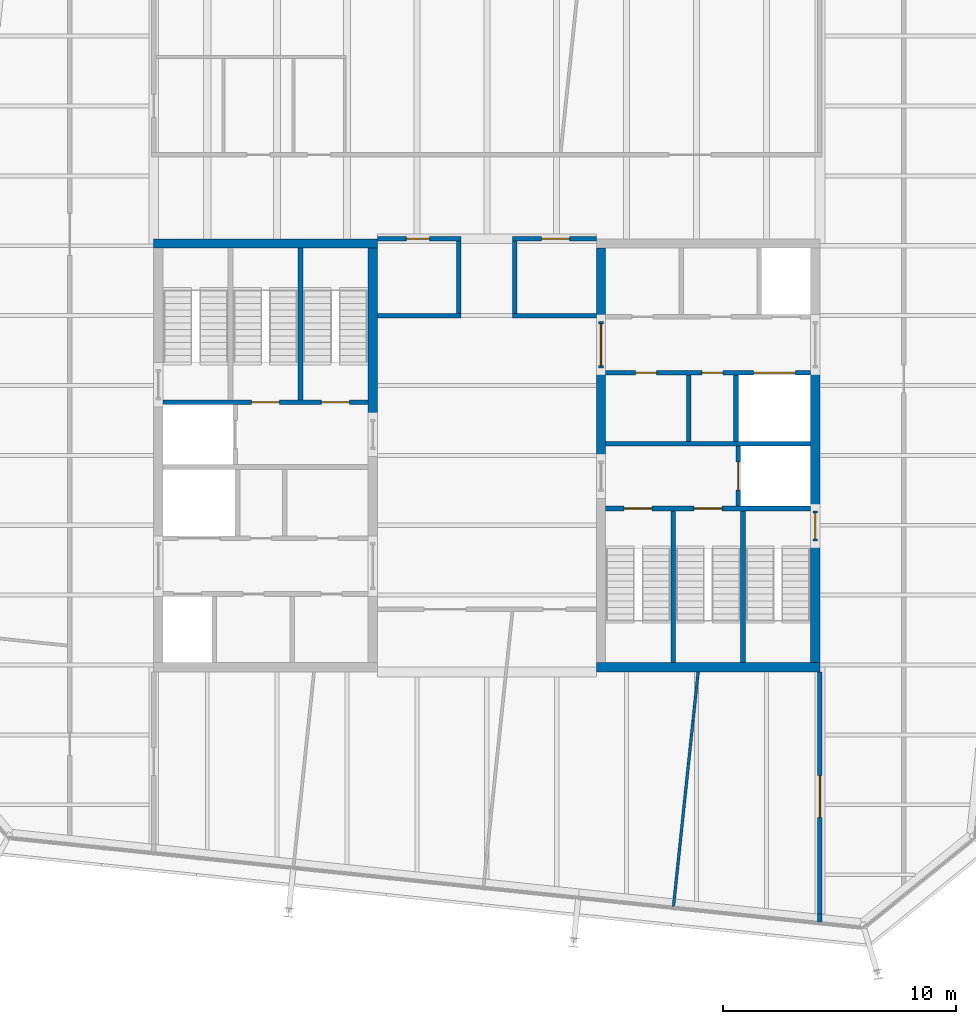
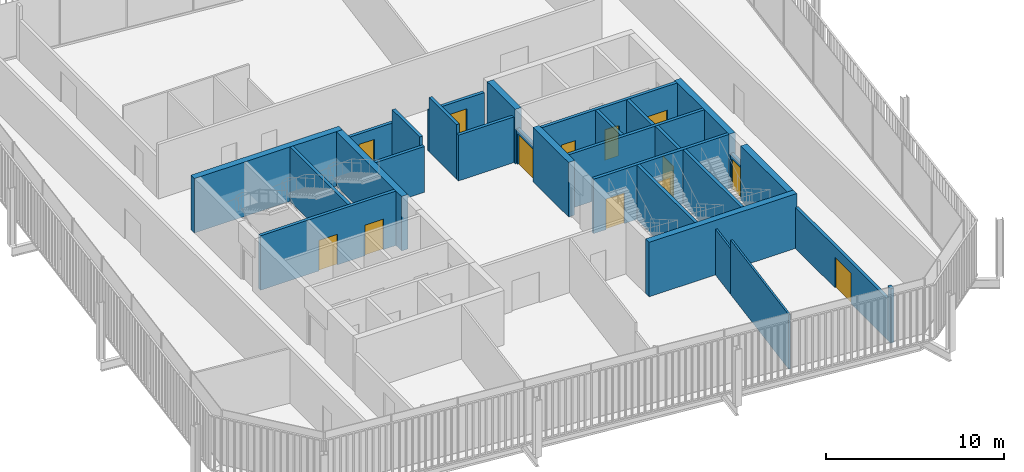
# One storey, part 17 of 20: 29 walls, 13 doors, 13 openings.
"""IFC4 building model written with IfcOpenShell, lengths in metres."""

from ifc_helpers import new_model, si_unit, direction, frame, frame_2d, origin, place, context, subcontext, project, spatial, rectangle, extrude, material, layer, layer_set, type_object, element, fill, save


model = new_model("IFC4")

# Units and contexts
model_context = context("Model", 3, precision=1e-05, world=origin(), true_north=direction((0.0, 1.0)))
body_context = subcontext(model_context, "Body", "Model", "MODEL_VIEW")
ifc_project = project(units=[si_unit("LENGTHUNIT", "METRE"), si_unit("AREAUNIT", "SQUARE_METRE"), si_unit("VOLUMEUNIT", "CUBIC_METRE"), si_unit("PLANEANGLEUNIT", "RADIAN"), si_unit("MASSUNIT", "GRAM", prefix="KILO")], contexts=[model_context])

# Site, building, storey
site_placement = place(None, origin())
site = spatial("IfcSite", under=ifc_project, at=site_placement, CompositionType="ELEMENT")
building_placement = place(site_placement, origin())
building = spatial("IfcBuilding", under=site, at=building_placement, Name="Millrace Tower", CompositionType="ELEMENT")
storey_placement = place(building_placement, frame((0.0, 0.0, 287.699951171875)))
storey = spatial("IfcBuildingStorey", under=building, at=storey_placement, Name="L66", CompositionType="ELEMENT", Elevation=287.699951171875)

# Walls
ifc_material_1 = material(Name="Concrete C60", Category="concrete")
ifc_layer_1 = layer(ifc_material_1, 0.39990234375)
ifc_layer_set_1 = layer_set([ifc_layer_1], Name="Concrete C60")
wall_type_1 = type_object("IfcWallType", Name="Core wall 400 Concrete C60", PredefinedType="SHEAR", material=ifc_layer_set_1)
wall_1_placement = place(storey_placement, frame((-14.300048828125, 9.10009765625, 0.0), z_axis=(0.0, 0.0, 1.0), x_axis=(1.0, 0.0, 0.0)))
element("IfcWall", 1, at=wall_1_placement, inside=storey, type_object=wall_type_1, Name="Core wall W L66", PredefinedType="SHEAR", context=body_context, shape_type="SweptSolid", body=[
    extrude(rectangle(XDim=9.60009765625, YDim=0.39990234375, at=frame_2d((4.800048828125, 0.0))), origin(), (0.0, 0.0, 1.0), 3.739990234375),
])
wall_2_placement = place(storey_placement, frame((-4.89990234375, 1.550048828125, 0.0), z_axis=(0.0, 0.0, 1.0), x_axis=(0.0, 1.0, 0.0)))
element("IfcWall", 2, at=wall_2_placement, inside=storey, type_object=wall_type_1, Name="Core wall W L66", PredefinedType="SHEAR", context=body_context, shape_type="SweptSolid", body=[
    extrude(rectangle(XDim=7.349853515625, YDim=0.39990234375, at=frame_2d((3.6748046875, 0.0))), origin(), (0.0, 0.0, 1.0), 3.739990234375),
])
wall_3_placement = place(storey_placement, frame((14.300048828125, -9.10009765625, 0.0), z_axis=(0.0, 0.0, 1.0), x_axis=(-1.0, 0.0, 0.0)))
element("IfcWall", 3, at=wall_3_placement, inside=storey, type_object=wall_type_1, Name="Core wall E L66", PredefinedType="SHEAR", context=body_context, shape_type="SweptSolid", body=[
    extrude(rectangle(XDim=9.60009765625, YDim=0.39990234375, at=frame_2d((4.800048828125, 0.0))), origin(), (0.0, 0.0, 1.0), 3.739990234375),
])
wall_4_placement = place(storey_placement, frame((14.10009765625, 3.75, 0.0), z_axis=(0.0, 0.0, 1.0), x_axis=(0.0, -1.0, 0.0)))
element("IfcWall", 4, at=wall_4_placement, inside=storey, type_object=wall_type_1, Name="Core wall E L66", PredefinedType="SHEAR", context=body_context, shape_type="SweptSolid", body=[
    extrude(rectangle(XDim=6.1298828125, YDim=0.39990234375, at=frame_2d((3.06494140625, 0.0))), origin(), (0.0, 0.0, 1.0), 3.739990234375),
])
wall_5_placement = place(storey_placement, frame((14.10009765625, -3.679931640625, 0.0), z_axis=(0.0, 0.0, 1.0), x_axis=(0.0, -1.0, 0.0)))
element("IfcWall", 5, at=wall_5_placement, inside=storey, type_object=wall_type_1, Name="Core wall E L66", PredefinedType="SHEAR", context=body_context, shape_type="SweptSolid", body=[
    extrude(rectangle(XDim=5.219970703125, YDim=0.39990234375, at=frame_2d((2.60986328125, 0.0))), origin(), (0.0, 0.0, 1.0), 3.739990234375),
])
wall_6_placement = place(storey_placement, frame((4.89990234375, 8.89990234375, 0.0), z_axis=(0.0, 0.0, 1.0), x_axis=(0.0, -1.0, 0.0)))
element("IfcWall", 6, at=wall_6_placement, inside=storey, type_object=wall_type_1, Name="Core wall E L66", PredefinedType="SHEAR", context=body_context, shape_type="SweptSolid", body=[
    extrude(rectangle(XDim=3.14990234375, YDim=0.39990234375, at=frame_2d((1.574951171875, 0.0))), origin(), (0.0, 0.0, 1.0), 3.739990234375),
])
wall_7_placement = place(storey_placement, frame((4.89990234375, 3.75, 0.0), z_axis=(0.0, 0.0, 1.0), x_axis=(0.0, -1.0, 0.0)))
element("IfcWall", 7, at=wall_7_placement, inside=storey, type_object=wall_type_1, Name="Core wall E L66", PredefinedType="SHEAR", context=body_context, shape_type="SweptSolid", body=[
    extrude(rectangle(XDim=4.0, YDim=0.39990234375, at=frame_2d((2.0, 0.0))), origin(), (0.0, 0.0, 1.0), 3.739990234375),
])
ifc_material_2 = material(Name="Masonry partition, fire-rated", Category="masonry")
ifc_layer_2 = layer(ifc_material_2, 0.199951171875)
ifc_layer_set_2 = layer_set([ifc_layer_2], Name="Masonry partition, fire-rated")
wall_type_2 = type_object("IfcWallType", Name="Corridor wall 200", PredefinedType="PARTITIONING", material=ifc_layer_set_2)
for number, where, z_axis, x_axis, name in (
    (8, (-4.699951171875, 6.0, 0.0), (0.0, 0.0, 1.0), (1.0, 0.0, 0.0), "Corridor wall L66"),
    (9, (1.10009765625, 6.0, 0.0), (0.0, 0.0, 1.0), (1.0, 0.0, 0.0), "Corridor wall L66"),
):
    element("IfcWall", number, at=place(storey_placement, frame(where, z_axis=z_axis, x_axis=x_axis)), inside=storey, type_object=wall_type_2, Name=name, PredefinedType="PARTITIONING", context=body_context, shape_type="SweptSolid", body=[
        extrude(rectangle(XDim=3.599853515625, YDim=0.199951171875, at=frame_2d((1.7998046875, 0.0))), origin(), (0.0, 0.0, 1.0), 3.140625),
    ])

# Wall, opening, door
wall_8_placement = place(storey_placement, frame((-4.699951171875, 9.300048828125, 0.0), z_axis=(0.0, 0.0, 1.0), x_axis=(1.0, 0.0, 0.0)))
wall_8 = element("IfcWall", 10, at=wall_8_placement, inside=storey, type_object=wall_type_2, Name="Corridor wall L66", PredefinedType="PARTITIONING", context=body_context, shape_type="SweptSolid", body=[
    extrude(rectangle(XDim=3.599853515625, YDim=0.199951171875, at=frame_2d((1.7998046875, 0.0))), origin(), (0.0, 0.0, 1.0), 2.81298828125),
])
opening_1_placement = place(wall_8_placement, frame((1.25, 0.0, 0.0)))
opening_1 = element("IfcOpeningElement", 11, at=opening_1_placement, cuts=wall_8, Name="Opening 66-P001", PredefinedType="OPENING", context=body_context, shape_type="SweptSolid", body=[
    extrude(rectangle(XDim=1.0, YDim=2.10009765625, at=frame_2d((0.5, 1.050048828125))), frame((0.0, 0.10986328125, 0.0), z_axis=(0.0, -1.0, 0.0), x_axis=(1.0, 0.0, 0.0)), (0.0, 0.0, 1.0), 0.219970703125),
])
ifc_material_3 = material(Name="Steel door set, fire-rated", Category="steel")
door_type_1 = type_object("IfcDoorType", Name="Corridor door 1000 x 2100", OperationType="SINGLE_SWING_LEFT", PredefinedType="DOOR", material=ifc_material_3)
door_1_placement = place(opening_1_placement, frame((1.0, 0.0, 0.0), z_axis=(0.0, 0.0, 1.0), x_axis=(-1.0, 0.0, 0.0)))
door_1 = element("IfcDoor", 12, at=door_1_placement, inside=storey, type_object=door_type_1, Name="Door 66-P001", OperationType="SINGLE_SWING_RIGHT", OverallHeight=2.10009765625, OverallWidth=1.0, PredefinedType="DOOR", context=body_context, shape_type="SweptSolid", body=[
    extrude(rectangle(XDim=1.0, YDim=2.10009765625, at=frame_2d((0.5, 1.050048828125))), frame((0.0, 0.02490234375, 0.0), z_axis=(0.0, -1.0, 0.0), x_axis=(1.0, 0.0, 0.0)), (0.0, 0.0, 1.0), 0.050048828125),
])
fill(opening_1, door_1)

wall_9_placement = place(storey_placement, frame((1.10009765625, 9.300048828125, 0.0), z_axis=(0.0, 0.0, 1.0), x_axis=(1.0, 0.0, 0.0)))
wall_9 = element("IfcWall", 13, at=wall_9_placement, inside=storey, type_object=wall_type_2, Name="Corridor wall L66", PredefinedType="PARTITIONING", context=body_context, shape_type="SweptSolid", body=[
    extrude(rectangle(XDim=3.599853515625, YDim=0.199951171875, at=frame_2d((1.7998046875, 0.0))), origin(), (0.0, 0.0, 1.0), 2.81298828125),
])
opening_2_placement = place(wall_9_placement, frame((1.25, 0.0, 0.0)))
opening_2 = element("IfcOpeningElement", 14, at=opening_2_placement, cuts=wall_9, Name="Opening 66-P002", PredefinedType="OPENING", context=body_context, shape_type="SweptSolid", body=[
    extrude(rectangle(XDim=1.199951171875, YDim=2.10009765625, at=frame_2d((0.60009765625, 1.050048828125))), frame((0.0, 0.10986328125, 0.0), z_axis=(0.0, -1.0, 0.0), x_axis=(1.0, 0.0, 0.0)), (0.0, 0.0, 1.0), 0.219970703125),
])
ifc_material_4 = material(Name="Steel door set, fire-rated", Category="steel")
door_type_2 = type_object("IfcDoorType", Name="Corridor door 1200 x 2100", OperationType="SINGLE_SWING_LEFT", PredefinedType="DOOR", material=ifc_material_4)
door_2_placement = place(opening_2_placement, frame((1.199951171875, 0.0, 0.0), z_axis=(0.0, 0.0, 1.0), x_axis=(-1.0, 0.0, 0.0)))
door_2 = element("IfcDoor", 15, at=door_2_placement, inside=storey, type_object=door_type_2, Name="Door 66-P002", OperationType="SINGLE_SWING_RIGHT", OverallHeight=2.10009765625, OverallWidth=1.199951171875, PredefinedType="DOOR", context=body_context, shape_type="SweptSolid", body=[
    extrude(rectangle(XDim=1.199951171875, YDim=2.10009765625, at=frame_2d((0.60009765625, 1.050048828125))), frame((0.0, 0.02490234375, 0.0), z_axis=(0.0, -1.0, 0.0), x_axis=(1.0, 0.0, 0.0)), (0.0, 0.0, 1.0), 0.050048828125),
])
fill(opening_2, door_2)

# Wall
wall_10_placement = place(storey_placement, frame((14.300048828125, -20.037353515625, 0.0), z_axis=(0.0, 0.0, 1.0), x_axis=(0.0, 1.0, 0.0)))
element("IfcWall", 16, at=wall_10_placement, inside=storey, type_object=wall_type_2, Name="Corridor wall L66", PredefinedType="PARTITIONING", context=body_context, shape_type="SweptSolid", body=[
    extrude(rectangle(XDim=0.339111328125, YDim=0.199951171875, at=frame_2d((0.16943359375, 0.0))), origin(), (0.0, 0.0, 1.0), 3.739990234375),
])

# Wall, opening, door
wall_11_placement = place(storey_placement, frame((14.300048828125, -19.6982421875, 0.0), z_axis=(0.0, 0.0, 1.0), x_axis=(0.0, 1.0, 0.0)))
wall_11 = element("IfcWall", 17, at=wall_11_placement, inside=storey, type_object=wall_type_2, Name="Corridor wall L66", PredefinedType="PARTITIONING", context=body_context, shape_type="SweptSolid", body=[
    extrude(rectangle(XDim=10.398193359375, YDim=0.199951171875, at=frame_2d((5.19921875, 0.0))), origin(), (0.0, 0.0, 1.0), 2.81298828125),
])
opening_3_placement = place(wall_11_placement, frame((4.15478515625, 0.0, 0.0)))
opening_3 = element("IfcOpeningElement", 18, at=opening_3_placement, cuts=wall_11, Name="Opening 66-P012", PredefinedType="OPENING", context=body_context, shape_type="SweptSolid", body=[
    extrude(rectangle(XDim=1.800048828125, YDim=2.10009765625, at=frame_2d((0.89990234375, 1.050048828125))), frame((0.0, 0.10986328125, 0.0), z_axis=(0.0, -1.0, 0.0), x_axis=(1.0, 0.0, 0.0)), (0.0, 0.0, 1.0), 0.219970703125),
])
ifc_material_5 = material(Name="Steel door set, fire-rated", Category="steel")
door_type_3 = type_object("IfcDoorType", Name="Corridor door 1800 x 2100", OperationType="DOUBLE_DOOR_SINGLE_SWING", PredefinedType="DOOR", material=ifc_material_5)
door_3_placement = place(opening_3_placement, origin())
door_3 = element("IfcDoor", 19, at=door_3_placement, inside=storey, type_object=door_type_3, Name="Door 66-P012", OperationType="DOUBLE_DOOR_SINGLE_SWING", OverallHeight=2.10009765625, OverallWidth=1.800048828125, PredefinedType="DOOR", context=body_context, shape_type="SweptSolid", body=[
    extrude(rectangle(XDim=1.800048828125, YDim=2.10009765625, at=frame_2d((0.89990234375, 1.050048828125))), frame((0.0, 0.02490234375, 0.0), z_axis=(0.0, -1.0, 0.0), x_axis=(1.0, 0.0, 0.0)), (0.0, 0.0, 1.0), 0.050048828125),
])
fill(opening_3, door_3)

# Walls
for number, where, z_axis, x_axis, name in (
    (20, (1.199951171875, 6.10009765625, 0.0), (0.0, 0.0, 1.0), (0.0, 1.0, 0.0), "Corridor wall L66"),
    (21, (-1.199951171875, 6.10009765625, 0.0), (0.0, 0.0, 1.0), (0.0, 1.0, 0.0), "Corridor wall L66"),
):
    element("IfcWall", number, at=place(storey_placement, frame(where, z_axis=z_axis, x_axis=x_axis)), inside=storey, type_object=wall_type_2, Name=name, PredefinedType="PARTITIONING", context=body_context, shape_type="SweptSolid", body=[
        extrude(rectangle(XDim=3.099853515625, YDim=0.199951171875, at=frame_2d((1.5498046875, 0.0))), origin(), (0.0, 0.0, 1.0), 3.739990234375),
    ])

# Wall, openings, doors
ifc_material_6 = material(Name="Masonry partition, fire-rated", Category="masonry")
ifc_layer_3 = layer(ifc_material_6, 0.199951171875)
ifc_layer_set_3 = layer_set([ifc_layer_3], Name="Masonry partition, fire-rated")
wall_type_3 = type_object("IfcWallType", Name="Lift shaft wall 200", PredefinedType="PARTITIONING", material=ifc_layer_set_3)
wall_12_placement = place(storey_placement, frame((13.89990234375, 3.550048828125, 0.0), z_axis=(0.0, 0.0, 1.0), x_axis=(-1.0, 0.0, 0.0)))
wall_12 = element("IfcWall", 22, at=wall_12_placement, inside=storey, type_object=wall_type_3, Name="Lift shaft wall E L66", PredefinedType="PARTITIONING", context=body_context, shape_type="SweptSolid", body=[
    extrude(rectangle(XDim=8.7998046875, YDim=0.199951171875, at=frame_2d((4.39990234375, 0.0))), origin(), (0.0, 0.0, 1.0), 3.739990234375),
])
opening_4_placement = place(wall_12_placement, frame((0.64990234375, 0.0, 0.0)))
opening_4 = element("IfcOpeningElement", 23, at=opening_4_placement, cuts=wall_12, Name="Opening 66-LD13", PredefinedType="OPENING", context=body_context, shape_type="SweptSolid", body=[
    extrude(rectangle(XDim=1.800048828125, YDim=2.10009765625, at=frame_2d((0.89990234375, 1.050048828125))), frame((0.0, 0.10986328125, 0.0), z_axis=(0.0, -1.0, 0.0), x_axis=(1.0, 0.0, 0.0)), (0.0, 0.0, 1.0), 0.219970703125),
])
opening_5_placement = place(wall_12_placement, frame((3.762451171875, 0.0, 0.0)))
opening_5 = element("IfcOpeningElement", 24, at=opening_5_placement, cuts=wall_12, Name="Opening 66-C017", PredefinedType="OPENING", context=body_context, shape_type="SweptSolid", body=[
    extrude(rectangle(XDim=0.89990234375, YDim=2.10009765625, at=frame_2d((0.449951171875, 1.050048828125))), frame((0.0, 0.10986328125, 0.0), z_axis=(0.0, -1.0, 0.0), x_axis=(1.0, 0.0, 0.0)), (0.0, 0.0, 1.0), 0.219970703125),
])
opening_6_placement = place(wall_12_placement, frame((6.612548828125, 0.0, 0.0)))
opening_6 = element("IfcOpeningElement", 25, at=opening_6_placement, cuts=wall_12, Name="Opening 66-C018", PredefinedType="OPENING", context=body_context, shape_type="SweptSolid", body=[
    extrude(rectangle(XDim=0.89990234375, YDim=2.10009765625, at=frame_2d((0.449951171875, 1.050048828125))), frame((0.0, 0.10986328125, 0.0), z_axis=(0.0, -1.0, 0.0), x_axis=(1.0, 0.0, 0.0)), (0.0, 0.0, 1.0), 0.219970703125),
])
ifc_material_7 = material(Name="Stainless steel, fire-rated", Category="steel")
door_type_4 = type_object("IfcDoorType", Name="Lift landing door 1800 x 2100", OperationType="DOUBLE_DOOR_SLIDING", PredefinedType="DOOR", material=ifc_material_7)
door_4_placement = place(opening_4_placement, origin())
door_4 = element("IfcDoor", 26, at=door_4_placement, inside=storey, type_object=door_type_4, Name="Lift landing door LF13 L66", OperationType="DOUBLE_DOOR_SLIDING", OverallHeight=2.10009765625, OverallWidth=1.800048828125, PredefinedType="DOOR", context=body_context, shape_type="SweptSolid", body=[
    extrude(rectangle(XDim=1.800048828125, YDim=2.10009765625, at=frame_2d((0.89990234375, 1.050048828125))), frame((0.0, 0.02490234375, 0.0), z_axis=(0.0, -1.0, 0.0), x_axis=(1.0, 0.0, 0.0)), (0.0, 0.0, 1.0), 0.050048828125),
])
fill(opening_4, door_4)
ifc_material_8 = material(Name="Steel door, fire-rated", Category="steel")
door_type_5 = type_object("IfcDoorType", Name="Service room door 900 x 2100", OperationType="SINGLE_SWING_LEFT", PredefinedType="DOOR", material=ifc_material_8)
door_5_placement = place(opening_5_placement, origin())
door_5 = element("IfcDoor", 27, at=door_5_placement, inside=storey, type_object=door_type_5, Name="Service room door 66-C017", OperationType="SINGLE_SWING_LEFT", OverallHeight=2.10009765625, OverallWidth=0.89990234375, PredefinedType="DOOR", context=body_context, shape_type="SweptSolid", body=[
    extrude(rectangle(XDim=0.89990234375, YDim=2.10009765625, at=frame_2d((0.449951171875, 1.050048828125))), frame((0.0, 0.02490234375, 0.0), z_axis=(0.0, -1.0, 0.0), x_axis=(1.0, 0.0, 0.0)), (0.0, 0.0, 1.0), 0.050048828125),
])
fill(opening_5, door_5)
door_6_placement = place(opening_6_placement, origin())
door_6 = element("IfcDoor", 28, at=door_6_placement, inside=storey, type_object=door_type_5, Name="Service room door 66-C018", OperationType="SINGLE_SWING_RIGHT", OverallHeight=2.10009765625, OverallWidth=0.89990234375, PredefinedType="DOOR", context=body_context, shape_type="SweptSolid", body=[
    extrude(rectangle(XDim=0.89990234375, YDim=2.10009765625, at=frame_2d((0.449951171875, 1.050048828125))), frame((0.0, 0.02490234375, 0.0), z_axis=(0.0, -1.0, 0.0), x_axis=(1.0, 0.0, 0.0)), (0.0, 0.0, 1.0), 0.050048828125),
])
fill(opening_6, door_6)

# Wall
wall_13_placement = place(storey_placement, frame((13.89990234375, 0.5, 0.0), z_axis=(0.0, 0.0, 1.0), x_axis=(-1.0, 0.0, 0.0)))
element("IfcWall", 29, at=wall_13_placement, inside=storey, type_object=wall_type_3, Name="Lift shaft wall E L66", PredefinedType="PARTITIONING", context=body_context, shape_type="SweptSolid", body=[
    extrude(rectangle(XDim=8.7998046875, YDim=0.199951171875, at=frame_2d((4.39990234375, 0.0))), origin(), (0.0, 0.0, 1.0), 3.739990234375),
])

# Wall, opening, door
wall_14_placement = place(storey_placement, frame((10.800048828125, 0.39990234375, 0.0), z_axis=(0.0, 0.0, 1.0), x_axis=(0.0, -1.0, 0.0)))
wall_14 = element("IfcWall", 30, at=wall_14_placement, inside=storey, type_object=wall_type_3, Name="Lift shaft wall E L66", PredefinedType="PARTITIONING", context=body_context, shape_type="SweptSolid", body=[
    extrude(rectangle(XDim=2.579833984375, YDim=0.199951171875, at=frame_2d((1.2900390625, 0.0))), origin(), (0.0, 0.0, 1.0), 3.739990234375),
])
opening_7_placement = place(wall_14_placement, frame((0.68994140625, 0.0, 0.0)))
opening_7 = element("IfcOpeningElement", 31, at=opening_7_placement, cuts=wall_14, Name="Opening 66-LD16", PredefinedType="OPENING", context=body_context, shape_type="SweptSolid", body=[
    extrude(rectangle(XDim=1.199951171875, YDim=2.10009765625, at=frame_2d((0.60009765625, 1.050048828125))), frame((0.0, 0.10986328125, 0.0), z_axis=(0.0, -1.0, 0.0), x_axis=(1.0, 0.0, 0.0)), (0.0, 0.0, 1.0), 0.219970703125),
])
ifc_material_9 = material(Name="Stainless steel, fire-rated", Category="steel")
door_type_6 = type_object("IfcDoorType", Name="Lift landing door 1200 x 2100", OperationType="DOUBLE_DOOR_SLIDING", PredefinedType="DOOR", material=ifc_material_9)
door_7_placement = place(opening_7_placement, origin())
door_7 = element("IfcDoor", 32, at=door_7_placement, inside=storey, type_object=door_type_6, Name="Lift landing door LF16 L66", OperationType="DOUBLE_DOOR_SLIDING", OverallHeight=2.10009765625, OverallWidth=1.199951171875, PredefinedType="DOOR", context=body_context, shape_type="SweptSolid", body=[
    extrude(rectangle(XDim=1.199951171875, YDim=2.10009765625, at=frame_2d((0.60009765625, 1.050048828125))), frame((0.0, 0.02490234375, 0.0), z_axis=(0.0, -1.0, 0.0), x_axis=(1.0, 0.0, 0.0)), (0.0, 0.0, 1.0), 0.050048828125),
])
fill(opening_7, door_7)

# Wall
wall_15_placement = place(storey_placement, frame((10.699951171875, 3.449951171875, 0.0), z_axis=(0.0, 0.0, 1.0), x_axis=(0.0, -1.0, 0.0)))
element("IfcWall", 33, at=wall_15_placement, inside=storey, type_object=wall_type_3, Name="Lift shaft wall E L66", PredefinedType="PARTITIONING", context=body_context, shape_type="SweptSolid", body=[
    extrude(rectangle(XDim=2.849853515625, YDim=0.199951171875, at=frame_2d((1.4248046875, 0.0))), origin(), (0.0, 0.0, 1.0), 3.739990234375),
])

# Wall, opening, door
ifc_material_10 = material(Name="Masonry partition, fire-rated", Category="masonry")
ifc_layer_4 = layer(ifc_material_10, 0.199951171875)
ifc_layer_set_4 = layer_set([ifc_layer_4], Name="Masonry partition, fire-rated")
wall_type_4 = type_object("IfcWallType", Name="Lobby wall 200", PredefinedType="PARTITIONING", material=ifc_layer_set_4)
wall_16_placement = place(storey_placement, frame((4.89990234375, 5.75, 0.0), z_axis=(0.0, 0.0, 1.0), x_axis=(0.0, -1.0, 0.0)))
wall_16 = element("IfcWall", 34, at=wall_16_placement, inside=storey, type_object=wall_type_4, Name="Lobby wall E L66", PredefinedType="PARTITIONING", context=body_context, shape_type="SweptSolid", body=[
    extrude(rectangle(XDim=2.0, YDim=0.199951171875, at=frame_2d((1.0, 0.0))), origin(), (0.0, 0.0, 1.0), 2.400146484375),
])
opening_8_placement = place(wall_16_placement, frame((0.10009765625, 0.0, 0.0)))
opening_8 = element("IfcOpeningElement", 35, at=opening_8_placement, cuts=wall_16, Name="Opening 66-C013", PredefinedType="OPENING", context=body_context, shape_type="SweptSolid", body=[
    extrude(rectangle(XDim=1.800048828125, YDim=2.10009765625, at=frame_2d((0.89990234375, 1.050048828125))), frame((0.0, 0.10986328125, 0.0), z_axis=(0.0, -1.0, 0.0), x_axis=(1.0, 0.0, 0.0)), (0.0, 0.0, 1.0), 0.219970703125),
])
ifc_material_11 = material(Name="Steel door, fire-rated", Category="steel")
door_type_7 = type_object("IfcDoorType", Name="Lobby door 1800 x 2100", OperationType="DOUBLE_DOOR_SINGLE_SWING", PredefinedType="DOOR", material=ifc_material_11)
door_8_placement = place(opening_8_placement, frame((1.800048828125, 0.0, 0.0), z_axis=(0.0, 0.0, 1.0), x_axis=(-1.0, 0.0, 0.0)))
door_8 = element("IfcDoor", 36, at=door_8_placement, inside=storey, type_object=door_type_7, Name="Lobby door 66-C013", OperationType="DOUBLE_DOOR_SINGLE_SWING", OverallHeight=2.10009765625, OverallWidth=1.800048828125, PredefinedType="DOOR", context=body_context, shape_type="SweptSolid", body=[
    extrude(rectangle(XDim=1.800048828125, YDim=2.10009765625, at=frame_2d((0.89990234375, 1.050048828125))), frame((0.0, 0.02490234375, 0.0), z_axis=(0.0, -1.0, 0.0), x_axis=(1.0, 0.0, 0.0)), (0.0, 0.0, 1.0), 0.050048828125),
])
fill(opening_8, door_8)

# Walls
ifc_material_12 = material(Name="Gypsum board partition")
ifc_layer_5 = layer(ifc_material_12, 0.1201171875)
ifc_layer_set_5 = layer_set([ifc_layer_5], Name="Gypsum board partition")
wall_type_5 = type_object("IfcWallType", Name="Partition wall 120", PredefinedType="PARTITIONING", material=ifc_layer_set_5)
wall_17_placement = place(storey_placement, frame((8.0126953125, -19.376708984375, 0.0), z_axis=(0.0, 0.0, 1.0), x_axis=(0.104553276341, 0.994519287096, 0.0)))
element("IfcWall", 37, at=wall_17_placement, inside=storey, type_object=wall_type_5, Name="Partition wall L66", PredefinedType="PARTITIONING", context=body_context, shape_type="SweptSolid", body=[
    extrude(rectangle(XDim=8.02099609375, YDim=0.1201171875, at=frame_2d((4.010498046875, 0.0))), origin(), (0.0, 0.0, 1.0), 3.739990234375),
])
wall_18_placement = place(storey_placement, frame((8.851318359375, -11.399658203125, 0.0), z_axis=(0.0, 0.0, 1.0), x_axis=(0.1045403102, 0.994520650134, 0.0)))
element("IfcWall", 38, at=wall_18_placement, inside=storey, type_object=wall_type_5, Name="Partition wall L66", PredefinedType="PARTITIONING", context=body_context, shape_type="SweptSolid", body=[
    extrude(rectangle(XDim=2.111083984375, YDim=0.1201171875, at=frame_2d((1.0556640625, 0.0))), origin(), (0.0, 0.0, 1.0), 3.140625),
])
ifc_material_13 = material(Name="Masonry partition, fire-rated", Category="masonry")
ifc_layer_6 = layer(ifc_material_13, 0.199951171875)
ifc_layer_set_6 = layer_set([ifc_layer_6], Name="Masonry partition, fire-rated")
wall_type_6 = type_object("IfcWallType", Name="Room partition 200", PredefinedType="PARTITIONING", material=ifc_layer_set_6)
wall_19_placement = place(storey_placement, frame((8.675048828125, 3.449951171875, 0.0), z_axis=(0.0, 0.0, 1.0), x_axis=(0.0, -1.0, 0.0)))
element("IfcWall", 39, at=wall_19_placement, inside=storey, type_object=wall_type_6, Name="Room partition E L66", PredefinedType="PARTITIONING", context=body_context, shape_type="SweptSolid", body=[
    extrude(rectangle(XDim=2.849853515625, YDim=0.199951171875, at=frame_2d((1.4248046875, 0.0))), origin(), (0.0, 0.0, 1.0), 3.739990234375),
])

# Wall, openings, doors
ifc_material_14 = material(Name="Concrete C40", Category="concrete")
ifc_layer_7 = layer(ifc_material_14, 0.199951171875)
ifc_layer_set_7 = layer_set([ifc_layer_7], Name="Concrete C40")
wall_type_7 = type_object("IfcWallType", Name="Stair enclosure wall 200 Concrete C40", PredefinedType="SHEAR", material=ifc_layer_set_7)
wall_20_placement = place(storey_placement, frame((-13.89990234375, 2.280029296875, 0.0), z_axis=(0.0, 0.0, 1.0), x_axis=(1.0, 0.0, 0.0)))
wall_20 = element("IfcWall", 40, at=wall_20_placement, inside=storey, type_object=wall_type_7, Name="Stair enclosure wall W L66", PredefinedType="SHEAR", context=body_context, shape_type="SweptSolid", body=[
    extrude(rectangle(XDim=8.7998046875, YDim=0.199951171875, at=frame_2d((4.39990234375, 0.0))), origin(), (0.0, 0.0, 1.0), 3.739990234375),
])
opening_9_placement = place(wall_20_placement, frame((3.800048828125, 0.0, 0.0)))
opening_9 = element("IfcOpeningElement", 41, at=opening_9_placement, cuts=wall_20, Name="Opening 66-C009", PredefinedType="OPENING", context=body_context, shape_type="SweptSolid", body=[
    extrude(rectangle(XDim=1.199951171875, YDim=2.10009765625, at=frame_2d((0.60009765625, 1.050048828125))), frame((0.0, 0.10986328125, 0.0), z_axis=(0.0, -1.0, 0.0), x_axis=(1.0, 0.0, 0.0)), (0.0, 0.0, 1.0), 0.219970703125),
])
opening_10_placement = place(wall_20_placement, frame((6.800048828125, 0.0, 0.0)))
opening_10 = element("IfcOpeningElement", 42, at=opening_10_placement, cuts=wall_20, Name="Opening 66-C010", PredefinedType="OPENING", context=body_context, shape_type="SweptSolid", body=[
    extrude(rectangle(XDim=1.199951171875, YDim=2.10009765625, at=frame_2d((0.60009765625, 1.050048828125))), frame((0.0, 0.10986328125, 0.0), z_axis=(0.0, -1.0, 0.0), x_axis=(1.0, 0.0, 0.0)), (0.0, 0.0, 1.0), 0.219970703125),
])
ifc_material_15 = material(Name="Steel door, fire-rated", Category="steel")
door_type_8 = type_object("IfcDoorType", Name="Stair door 1200 x 2100", OperationType="SINGLE_SWING_LEFT", PredefinedType="DOOR", material=ifc_material_15)
door_9_placement = place(opening_9_placement, frame((1.199951171875, 0.0, 0.0), z_axis=(0.0, 0.0, 1.0), x_axis=(-1.0, 0.0, 0.0)))
door_9 = element("IfcDoor", 43, at=door_9_placement, inside=storey, type_object=door_type_8, Name="Stair door 66-C009", OperationType="SINGLE_SWING_LEFT", OverallHeight=2.10009765625, OverallWidth=1.199951171875, PredefinedType="DOOR", context=body_context, shape_type="SweptSolid", body=[
    extrude(rectangle(XDim=1.199951171875, YDim=2.10009765625, at=frame_2d((0.60009765625, 1.050048828125))), frame((0.0, 0.02490234375, 0.0), z_axis=(0.0, -1.0, 0.0), x_axis=(1.0, 0.0, 0.0)), (0.0, 0.0, 1.0), 0.050048828125),
])
fill(opening_9, door_9)
door_10_placement = place(opening_10_placement, frame((1.199951171875, 0.0, 0.0), z_axis=(0.0, 0.0, 1.0), x_axis=(-1.0, 0.0, 0.0)))
door_10 = element("IfcDoor", 44, at=door_10_placement, inside=storey, type_object=door_type_8, Name="Stair door 66-C010", OperationType="SINGLE_SWING_LEFT", OverallHeight=2.10009765625, OverallWidth=1.199951171875, PredefinedType="DOOR", context=body_context, shape_type="SweptSolid", body=[
    extrude(rectangle(XDim=1.199951171875, YDim=2.10009765625, at=frame_2d((0.60009765625, 1.050048828125))), frame((0.0, 0.02490234375, 0.0), z_axis=(0.0, -1.0, 0.0), x_axis=(1.0, 0.0, 0.0)), (0.0, 0.0, 1.0), 0.050048828125),
])
fill(opening_10, door_10)

# Wall
wall_21_placement = place(storey_placement, frame((-8.0, 2.3798828125, 0.0), z_axis=(0.0, 0.0, 1.0), x_axis=(0.0, 1.0, 0.0)))
element("IfcWall", 45, at=wall_21_placement, inside=storey, type_object=wall_type_7, Name="Stair enclosure wall W L66", PredefinedType="SHEAR", context=body_context, shape_type="SweptSolid", body=[
    extrude(rectangle(XDim=6.52001953125, YDim=0.199951171875, at=frame_2d((3.260009765625, 0.0))), origin(), (0.0, 0.0, 1.0), 3.739990234375),
])

# Wall, opening, door
wall_22_placement = place(storey_placement, frame((14.10009765625, -2.3798828125, 0.0), z_axis=(0.0, 0.0, 1.0), x_axis=(0.0, -1.0, 0.0)))
wall_22 = element("IfcWall", 46, at=wall_22_placement, inside=storey, type_object=wall_type_7, Name="Stair enclosure wall E L66", PredefinedType="SHEAR", context=body_context, shape_type="SweptSolid", body=[
    extrude(rectangle(XDim=1.300048828125, YDim=0.199951171875, at=frame_2d((0.64990234375, 0.0))), origin(), (0.0, 0.0, 1.0), 2.400146484375),
])
opening_11_placement = place(wall_22_placement, frame((0.10009765625, 0.0, 0.0)))
opening_11 = element("IfcOpeningElement", 47, at=opening_11_placement, cuts=wall_22, Name="Opening 66-C012", PredefinedType="OPENING", context=body_context, shape_type="SweptSolid", body=[
    extrude(rectangle(XDim=1.10009765625, YDim=2.10009765625, at=frame_2d((0.550048828125, 1.050048828125))), frame((0.0, 0.10986328125, 0.0), z_axis=(0.0, -1.0, 0.0), x_axis=(1.0, 0.0, 0.0)), (0.0, 0.0, 1.0), 0.219970703125),
])
ifc_material_16 = material(Name="Steel door, fire-rated", Category="steel")
door_type_9 = type_object("IfcDoorType", Name="Stair door 1100 x 2100", OperationType="SINGLE_SWING_LEFT", PredefinedType="DOOR", material=ifc_material_16)
door_11_placement = place(opening_11_placement, origin())
door_11 = element("IfcDoor", 48, at=door_11_placement, inside=storey, type_object=door_type_9, Name="Stair door 66-C012", OperationType="SINGLE_SWING_RIGHT", OverallHeight=2.10009765625, OverallWidth=1.10009765625, PredefinedType="DOOR", context=body_context, shape_type="SweptSolid", body=[
    extrude(rectangle(XDim=1.10009765625, YDim=2.10009765625, at=frame_2d((0.550048828125, 1.050048828125))), frame((0.0, 0.02490234375, 0.0), z_axis=(0.0, -1.0, 0.0), x_axis=(1.0, 0.0, 0.0)), (0.0, 0.0, 1.0), 0.050048828125),
])
fill(opening_11, door_11)

# Wall, openings, doors
wall_23_placement = place(storey_placement, frame((13.89990234375, -2.280029296875, 0.0), z_axis=(0.0, 0.0, 1.0), x_axis=(-1.0, 0.0, 0.0)))
wall_23 = element("IfcWall", 49, at=wall_23_placement, inside=storey, type_object=wall_type_7, Name="Stair enclosure wall E L66", PredefinedType="SHEAR", context=body_context, shape_type="SweptSolid", body=[
    extrude(rectangle(XDim=8.7998046875, YDim=0.199951171875, at=frame_2d((4.39990234375, 0.0))), origin(), (0.0, 0.0, 1.0), 3.739990234375),
])
opening_12_placement = place(wall_23_placement, frame((3.800048828125, 0.0, 0.0)))
opening_12 = element("IfcOpeningElement", 50, at=opening_12_placement, cuts=wall_23, Name="Opening 66-C019", PredefinedType="OPENING", context=body_context, shape_type="SweptSolid", body=[
    extrude(rectangle(XDim=1.199951171875, YDim=2.10009765625, at=frame_2d((0.60009765625, 1.050048828125))), frame((0.0, 0.10986328125, 0.0), z_axis=(0.0, -1.0, 0.0), x_axis=(1.0, 0.0, 0.0)), (0.0, 0.0, 1.0), 0.219970703125),
])
opening_13_placement = place(wall_23_placement, frame((6.800048828125, 0.0, 0.0)))
opening_13 = element("IfcOpeningElement", 51, at=opening_13_placement, cuts=wall_23, Name="Opening 66-C020", PredefinedType="OPENING", context=body_context, shape_type="SweptSolid", body=[
    extrude(rectangle(XDim=1.199951171875, YDim=2.10009765625, at=frame_2d((0.60009765625, 1.050048828125))), frame((0.0, 0.10986328125, 0.0), z_axis=(0.0, -1.0, 0.0), x_axis=(1.0, 0.0, 0.0)), (0.0, 0.0, 1.0), 0.219970703125),
])
door_12_placement = place(opening_12_placement, frame((1.199951171875, 0.0, 0.0), z_axis=(0.0, 0.0, 1.0), x_axis=(-1.0, 0.0, 0.0)))
door_12 = element("IfcDoor", 52, at=door_12_placement, inside=storey, type_object=door_type_8, Name="Stair door 66-C019", OperationType="SINGLE_SWING_LEFT", OverallHeight=2.10009765625, OverallWidth=1.199951171875, PredefinedType="DOOR", context=body_context, shape_type="SweptSolid", body=[
    extrude(rectangle(XDim=1.199951171875, YDim=2.10009765625, at=frame_2d((0.60009765625, 1.050048828125))), frame((0.0, 0.02490234375, 0.0), z_axis=(0.0, -1.0, 0.0), x_axis=(1.0, 0.0, 0.0)), (0.0, 0.0, 1.0), 0.050048828125),
])
fill(opening_12, door_12)
door_13_placement = place(opening_13_placement, frame((1.199951171875, 0.0, 0.0), z_axis=(0.0, 0.0, 1.0), x_axis=(-1.0, 0.0, 0.0)))
door_13 = element("IfcDoor", 53, at=door_13_placement, inside=storey, type_object=door_type_8, Name="Stair door 66-C020", OperationType="SINGLE_SWING_LEFT", OverallHeight=2.10009765625, OverallWidth=1.199951171875, PredefinedType="DOOR", context=body_context, shape_type="SweptSolid", body=[
    extrude(rectangle(XDim=1.199951171875, YDim=2.10009765625, at=frame_2d((0.60009765625, 1.050048828125))), frame((0.0, 0.02490234375, 0.0), z_axis=(0.0, -1.0, 0.0), x_axis=(1.0, 0.0, 0.0)), (0.0, 0.0, 1.0), 0.050048828125),
])
fill(opening_13, door_13)

# Walls
for number, where, z_axis, x_axis, name in (
    (54, (11.0, -2.3798828125, 0.0), (0.0, 0.0, 1.0), (0.0, -1.0, 0.0), "Stair enclosure wall E L66"),
    (55, (8.0, -2.3798828125, 0.0), (0.0, 0.0, 1.0), (0.0, -1.0, 0.0), "Stair enclosure wall E L66"),
):
    element("IfcWall", number, at=place(storey_placement, frame(where, z_axis=z_axis, x_axis=x_axis)), inside=storey, type_object=wall_type_7, Name=name, PredefinedType="SHEAR", context=body_context, shape_type="SweptSolid", body=[
        extrude(rectangle(XDim=6.52001953125, YDim=0.199951171875, at=frame_2d((3.260009765625, 0.0))), origin(), (0.0, 0.0, 1.0), 3.739990234375),
    ])

save(model, "model.ifc")
